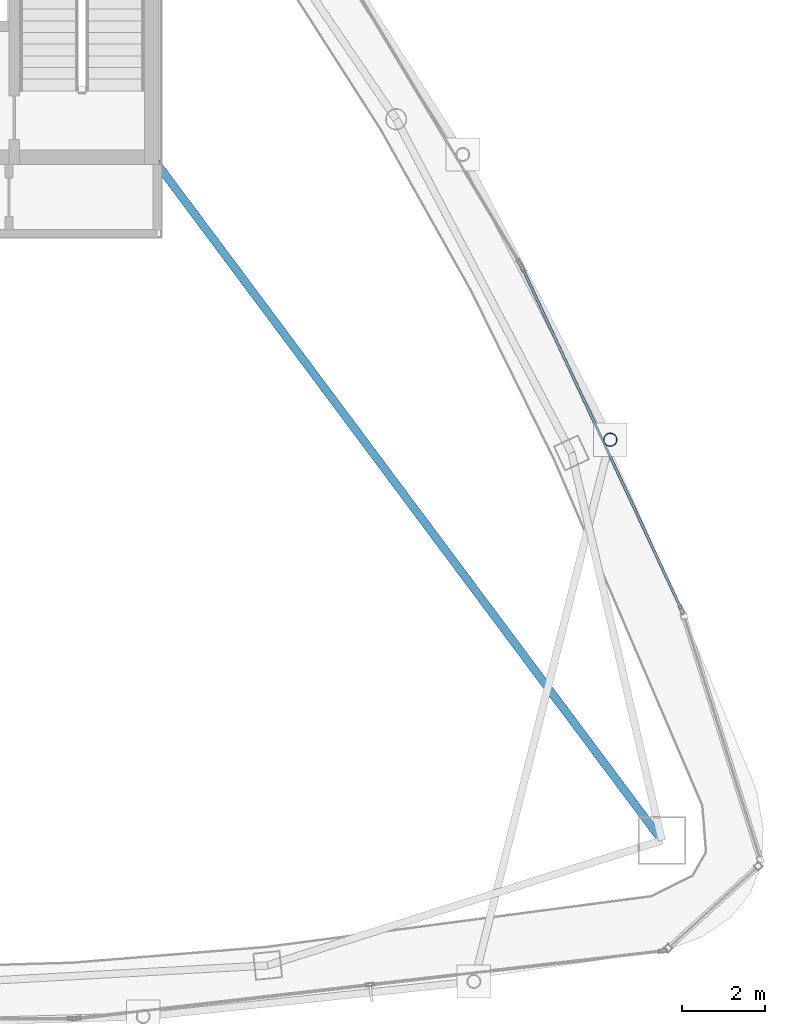
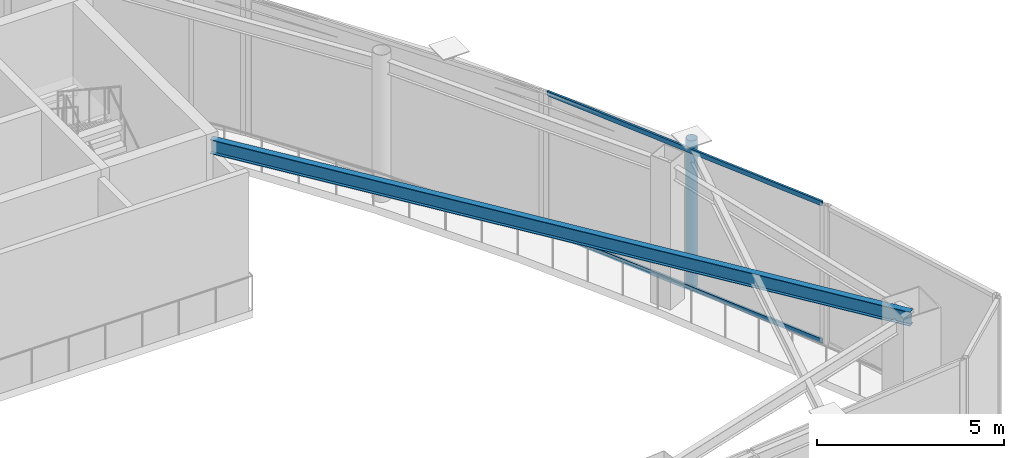
# One storey, part 12 of 19: 3 members, 1 beam, 1 element without a shape of its own.
"""IFC4 building model written with IfcOpenShell, lengths in metres."""

from ifc_helpers import new_model, si_unit, direction, frame, origin, origin_2d, place, context, subcontext, project, spatial, hollow_rectangle, hollow_circle, i_section, extrude, material, layer, layer_set, material_profile, profile_set, type_object, element, aggregate, save


model = new_model("IFC4")

# Units and contexts
model_context = context("Model", 3, precision=1e-05, world=origin(), true_north=direction((0.0, 1.0)))
body_context = subcontext(model_context, "Body", "Model", "MODEL_VIEW")
ifc_project = project(units=[si_unit("LENGTHUNIT", "METRE"), si_unit("AREAUNIT", "SQUARE_METRE"), si_unit("VOLUMEUNIT", "CUBIC_METRE"), si_unit("PLANEANGLEUNIT", "RADIAN"), si_unit("MASSUNIT", "GRAM", prefix="KILO")], contexts=[model_context])

# Site, building, storey
site_placement = place(None, origin())
site = spatial("IfcSite", under=ifc_project, at=site_placement, CompositionType="ELEMENT")
building_placement = place(site_placement, origin())
building = spatial("IfcBuilding", under=site, at=building_placement, Name="Orvanel Arch Residences", CompositionType="ELEMENT")
storey_placement = place(building_placement, frame((0.0, 0.0, 290.89990234375)))
storey = spatial("IfcBuildingStorey", under=building, at=storey_placement, Name="L82", CompositionType="ELEMENT", Elevation=290.89990234375)

# Beam
ifc_material_1 = material(Name="Structural steel AS/NZS 3679.1 Grade 300 (300 MPa)", Category="steel")
ifc_material_profile_1 = material_profile(ifc_material_1, i_section(OverallWidth=0.19091796875, OverallDepth=0.4599609375, WebThickness=0.010009765625, FlangeThickness=0.01611328125, at=origin_2d()), Name="460UB82.1")
ifc_profile_set_1 = profile_set([ifc_material_profile_1], Name="Structural steel AS/NZS 3679.1 Grade 300 (300 MPa)")
beam_type = type_object("IfcBeamType", Name="BG-460UB", PredefinedType="BEAM", material=ifc_profile_set_1)
beam_placement = place(storey_placement, frame((39.625, 26.675048828125, 4.320068359375), z_axis=(0.597893733742, -0.801575375839, 0.0), x_axis=(0.801575375839, 0.597893733742, 0.0)))
element("IfcBeam", 1, at=beam_placement, inside=storey, type_object=beam_type, Name="L82 South-East Radial Girder", PredefinedType="BEAM", context=body_context, shape_type="SweptSolid", body=[
    extrude(i_section(OverallWidth=0.19091796875, OverallDepth=0.4599609375, WebThickness=0.010009765625, FlangeThickness=0.01611328125, at=origin_2d()), origin(), (0.0, 0.0, 1.0), 20.36474609375),
])

# Member
ifc_material_2 = material(Name="Structural steel AS/NZS 1163 C350L0 (Grade 350)", Category="steel")
ifc_material_profile_2 = material_profile(ifc_material_2, hollow_circle(Radius=0.162109375, WallThickness=0.0126953125, at=origin_2d()), Name="CHS324x12.7")
ifc_profile_set_2 = profile_set([ifc_material_profile_2], Name="Structural steel AS/NZS 1163 C350L0 (Grade 350)")
member_type_1 = type_object("IfcMemberType", Name="ST-324CHS-EXT", PredefinedType="STRUT", material=ifc_profile_set_2)
member_1_placement = place(storey_placement, frame((50.56396484375, 19.9580078125, 0.0), z_axis=(0.0, 0.0, 1.0), x_axis=(1.0, 0.0, 0.0)))
element("IfcMember", 2, at=member_1_placement, inside=storey, type_object=member_type_1, Name="L82 Outer Perimeter Frame Post 09", PredefinedType="STRUT", context=body_context, shape_type="SweptSolid", body=[
    extrude(hollow_circle(Radius=0.162109375, WallThickness=0.0126953125, at=origin_2d()), origin(), (0.0, 0.0, 1.0), 4.800048828125),
])

# Curtain wall, members
ifc_material_3 = material(Name="Bronze-anodised aluminium AA6063-T6", Category="aluminium")
ifc_layer = layer(ifc_material_3, 0.2099609375)
ifc_layer_set = layer_set([ifc_layer], Name="Bronze-anodised aluminium AA6063-T6")
curtain_wall_type = type_object("IfcCurtainWallType", Name="CW7-TOP-SYS", PredefinedType="NOTDEFINED", material=ifc_layer_set)
curtain_wall_placement = place(storey_placement, origin())
curtain_wall = element("IfcCurtainWall", 3, at=curtain_wall_placement, inside=storey, type_object=curtain_wall_type, Name="L82 CW7-TOP-SYS Unitised Curtain Wall", PredefinedType="NOTDEFINED")
ifc_material_profile_3 = material_profile(ifc_material_3, hollow_rectangle(XDim=0.06494140625, YDim=0.14990234375, WallThickness=0.00390625, at=origin_2d()), Name="ALU150x65x4")
ifc_profile_set_3 = profile_set([ifc_material_profile_3], Name="Bronze-anodised aluminium AA6063-T6")
member_type_2 = type_object("IfcMemberType", Name="TRN-150x65", PredefinedType="USERDEFINED", material=ifc_profile_set_3)
member_2_placement = place(storey_placement, frame((52.26220703125, 15.906005859375, 0.03271484375), z_axis=(-0.422353742723, 0.906431087291, 0.0), x_axis=(-0.906431087291, -0.422353742723, 0.0)))
member_2 = element("IfcMember", 4, at=member_2_placement, type_object=member_type_2, Name="CW-S7 transom 1.1", ObjectType="TRANSOM", PredefinedType="USERDEFINED", context=body_context, shape_type="SweptSolid", body=[
    extrude(hollow_rectangle(XDim=0.06494140625, YDim=0.14990234375, WallThickness=0.00390625, at=origin_2d()), origin(), (0.0, 0.0, 1.0), 8.974853515625),
])
member_3_placement = place(storey_placement, frame((52.26220703125, 15.906005859375, 4.517578125), z_axis=(-0.422353742723, 0.906431087291, 0.0), x_axis=(-0.906431087291, -0.422353742723, 0.0)))
member_3 = element("IfcMember", 5, at=member_3_placement, type_object=member_type_2, Name="CW-S7 transom 1.2", ObjectType="TRANSOM", PredefinedType="USERDEFINED", context=body_context, shape_type="SweptSolid", body=[
    extrude(hollow_rectangle(XDim=0.06494140625, YDim=0.14990234375, WallThickness=0.00390625, at=origin_2d()), origin(), (0.0, 0.0, 1.0), 8.974853515625),
])
aggregate(curtain_wall, [member_2, member_3])

save(model, "model.ifc")
